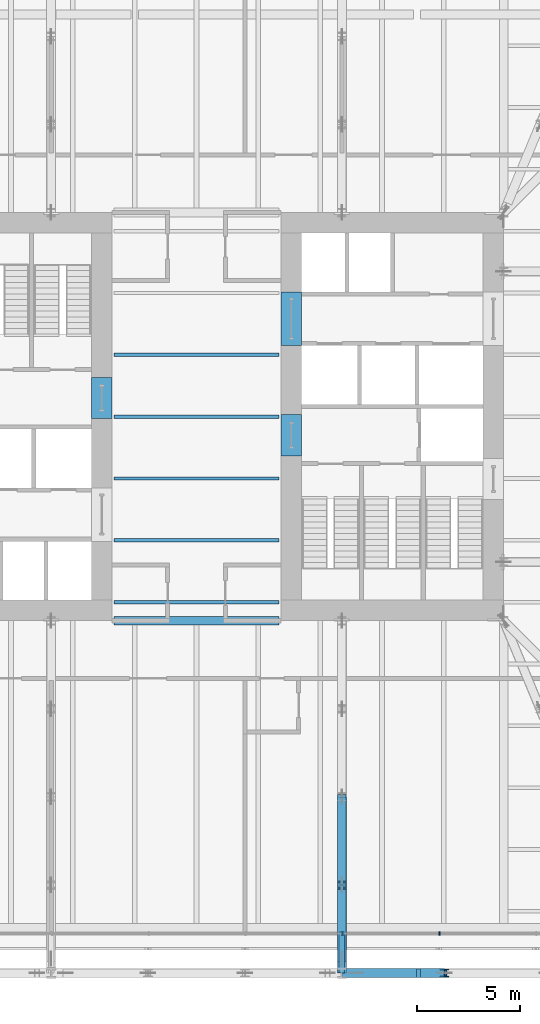
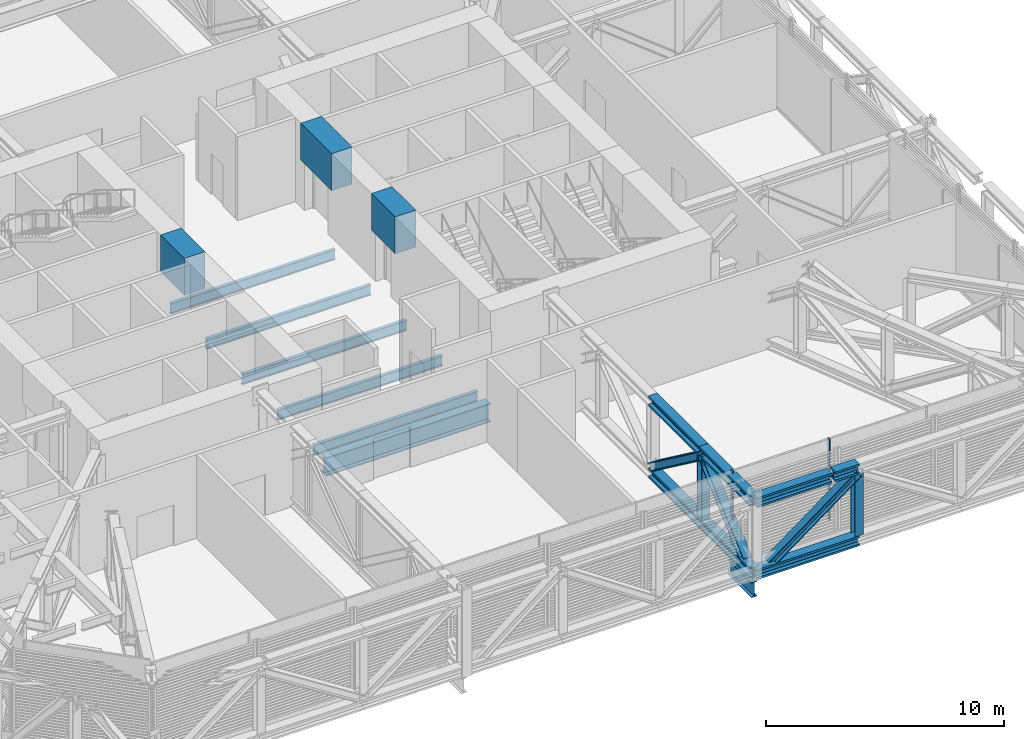
# One storey, part 9 of 33: 17 beams, 7 members, 1 element without a shape of its own.
"""IFC4 building model written with IfcOpenShell, lengths in metres."""

from ifc_helpers import new_model, si_unit, direction, frame, origin, origin_2d, place, context, subcontext, project, spatial, rectangle, i_section, extrude, material, layer, layer_set, material_profile, profile_set, type_object, element, aggregate, save


model = new_model("IFC4")

# Units and contexts
model_context = context("Model", 3, precision=1e-05, world=origin(), true_north=direction((0.0, 1.0)))
body_context = subcontext(model_context, "Body", "Model", "MODEL_VIEW")
ifc_project = project(units=[si_unit("LENGTHUNIT", "METRE"), si_unit("AREAUNIT", "SQUARE_METRE"), si_unit("VOLUMEUNIT", "CUBIC_METRE"), si_unit("PLANEANGLEUNIT", "RADIAN"), si_unit("MASSUNIT", "GRAM", prefix="KILO")], contexts=[model_context])

# Site, building, storey
site_placement = place(None, origin())
site = spatial("IfcSite", under=ifc_project, at=site_placement, CompositionType="ELEMENT")
building_placement = place(site_placement, origin())
building = spatial("IfcBuilding", under=site, at=building_placement, Name="Millrace Tower", CompositionType="ELEMENT")
storey_placement = place(building_placement, frame((0.0, 0.0, 64.10009765625)))
storey = spatial("IfcBuildingStorey", under=building, at=storey_placement, Name="L14", CompositionType="ELEMENT", Elevation=64.10009765625)

# Beams
ifc_material_1 = material(Name="Steel ASTM A992 Grade 50", Category="steel")
ifc_material_profile_1 = material_profile(ifc_material_1, i_section(OverallWidth=0.436767578125, OverallDepth=0.51318359375, WebThickness=0.060546875, FlangeThickness=0.096923828125, FilletRadius=0.01513671875, at=origin_2d()))
ifc_profile_set_1 = profile_set([ifc_material_profile_1], Name="Steel ASTM A992 Grade 50")
beam_type_1 = type_object("IfcBeamType", Name="Belt truss chord W14x550", PredefinedType="BEAM", material=ifc_profile_set_1)
beam_1_placement = place(storey_placement, frame((7.050048828125, -27.0, 0.25634765625), z_axis=(1.0, 0.0, 0.0), x_axis=(0.0, 1.0, 0.0)))
element("IfcBeam", 1, at=beam_1_placement, inside=storey, type_object=beam_type_1, Name="BLT-L14-R04-B01", PredefinedType="BEAM", context=body_context, shape_type="SweptSolid", body=[
    extrude(i_section(OverallWidth=0.436767578125, OverallDepth=0.51318359375, WebThickness=0.060546875, FlangeThickness=0.096923828125, FilletRadius=0.01513671875, at=origin_2d()), origin(), (0.0, 0.0, 1.0), 4.97607421875),
])
beam_2_placement = place(storey_placement, frame((7.0673828125, -27.0, 3.943359375), z_axis=(1.0, 0.0, 0.0), x_axis=(0.0, 1.0, 0.0)))
element("IfcBeam", 2, at=beam_2_placement, inside=storey, type_object=beam_type_1, Name="BLT-L14-R04-T01-a", PredefinedType="BEAM", context=body_context, shape_type="SweptSolid", body=[
    extrude(i_section(OverallWidth=0.436767578125, OverallDepth=0.51318359375, WebThickness=0.060546875, FlangeThickness=0.096923828125, FilletRadius=0.01513671875, at=origin_2d()), origin(), (0.0, 0.0, 1.0), 3.614990234375),
])
beam_3_placement = place(storey_placement, frame((10.859619140625, -27.0, 3.943359375), z_axis=(1.0, 0.0, 0.0), x_axis=(0.0, 1.0, 0.0)))
element("IfcBeam", 3, at=beam_3_placement, inside=storey, type_object=beam_type_1, Name="BLT-L14-R04-T01-b", PredefinedType="BEAM", context=body_context, shape_type="SweptSolid", body=[
    extrude(i_section(OverallWidth=0.436767578125, OverallDepth=0.51318359375, WebThickness=0.060546875, FlangeThickness=0.096923828125, FilletRadius=0.01513671875, at=origin_2d()), origin(), (0.0, 0.0, 1.0), 1.16650390625),
])

# Members
ifc_material_2 = material(Name="Steel ASTM A992 Grade 50", Category="steel")
ifc_material_profile_2 = material_profile(ifc_material_2, i_section(OverallWidth=0.40380859375, OverallDepth=0.406494140625, WebThickness=0.027099609375, FlangeThickness=0.043701171875, FilletRadius=0.01513671875, at=origin_2d()))
ifc_profile_set_2 = profile_set([ifc_material_profile_2], Name="Steel ASTM A992 Grade 50")
member_type_1 = type_object("IfcMemberType", Name="Belt truss diagonal W14x233", PredefinedType="BRACE", material=ifc_profile_set_2)
member_1_placement = place(storey_placement, frame((7.75, -27.0, 0.512939453125), z_axis=(0.802988323282, 0.0, 0.59599475893), x_axis=(0.0, 1.0, 0.0)))
element("IfcMember", 4, at=member_1_placement, inside=storey, type_object=member_type_1, Name="BLT-L14-R04-D01", PredefinedType="BRACE", context=body_context, shape_type="SweptSolid", body=[
    extrude(i_section(OverallWidth=0.40380859375, OverallDepth=0.406494140625, WebThickness=0.027099609375, FlangeThickness=0.043701171875, FilletRadius=0.01513671875, at=origin_2d()), origin(), (0.0, 0.0, 1.0), 5.3251953125),
])
ifc_material_3 = material(Name="Steel ASTM A992 Grade 50", Category="steel")
ifc_material_profile_3 = material_profile(ifc_material_3, i_section(OverallWidth=0.398681640625, OverallDepth=0.393798828125, WebThickness=0.022705078125, FlangeThickness=0.03662109375, FilletRadius=0.01513671875, at=origin_2d()))
ifc_profile_set_3 = profile_set([ifc_material_profile_3], Name="Steel ASTM A992 Grade 50")
member_type_2 = type_object("IfcMemberType", Name="Belt truss post W14x193", PredefinedType="POST", material=ifc_profile_set_3)
member_2_placement = place(storey_placement, frame((12.026123046875, -27.0, 0.512939453125), z_axis=(0.0, 0.0, 1.0), x_axis=(1.0, 0.0, 0.0)))
element("IfcMember", 5, at=member_2_placement, inside=storey, type_object=member_type_2, Name="BLT-L14-R04-V01", PredefinedType="POST", context=body_context, shape_type="SweptSolid", body=[
    extrude(i_section(OverallWidth=0.398681640625, OverallDepth=0.393798828125, WebThickness=0.022705078125, FlangeThickness=0.03662109375, FilletRadius=0.01513671875, at=origin_2d()), origin(), (0.0, 0.0, 1.0), 3.173828125),
])

# Curtain wall, members
ifc_material_4 = material(Name="Aluminium and glass", Category="aluminium")
ifc_layer = layer(ifc_material_4, 0.14990234375)
ifc_layer_set = layer_set([ifc_layer], Name="Aluminium and glass")
curtain_wall_type = type_object("IfcCurtainWallType", Name="CW-5 truss and plant storey louvred infill", PredefinedType="NOTDEFINED", material=ifc_layer_set)
curtain_wall_placement = place(storey_placement, origin())
curtain_wall = element("IfcCurtainWall", 6, at=curtain_wall_placement, inside=storey, type_object=curtain_wall_type, Name="Curtain wall A-F02 L14", PredefinedType="NOTDEFINED")
ifc_material_5 = material(Name="Aluminium", Category="aluminium")
ifc_material_profile_4 = material_profile(ifc_material_5, rectangle(XDim=0.06494140625, YDim=0.14990234375, at=origin_2d()))
ifc_profile_set_4 = profile_set([ifc_material_profile_4], Name="Aluminium")
member_type_3 = type_object("IfcMemberType", Name="CW-5 truss and plant storey louvred infill mullion", PredefinedType="MULLION", material=ifc_profile_set_4)
member_3_placement = place(storey_placement, frame((7.08251953125, -25.074951171875, 0.139892578125), z_axis=(0.0, 0.0, 1.0), x_axis=(1.0, 0.0, 0.0)))
member_3 = element("IfcMember", 7, at=member_3_placement, type_object=member_type_3, Name="CW5 mullion A-F02.7", PredefinedType="MULLION", context=body_context, shape_type="SweptSolid", body=[
    extrude(rectangle(XDim=0.06494140625, YDim=0.14990234375, at=origin_2d()), origin(), (0.0, 0.0, 1.0), 4.159912109375),
])
member_4_placement = place(storey_placement, frame((11.782470703125, -25.074951171875, 0.139892578125), z_axis=(0.0, 0.0, 1.0), x_axis=(1.0, 0.0, 0.0)))
member_4 = element("IfcMember", 8, at=member_4_placement, type_object=member_type_3, Name="CW5 mullion A-F02.8", PredefinedType="MULLION", context=body_context, shape_type="SweptSolid", body=[
    extrude(rectangle(XDim=0.06494140625, YDim=0.14990234375, at=origin_2d()), origin(), (0.0, 0.0, 1.0), 4.159912109375),
])
aggregate(curtain_wall, [member_3, member_4])

# Beams
ifc_material_6 = material(Name="Concrete C80", Category="concrete")
ifc_material_profile_5 = material_profile(ifc_material_6, rectangle(XDim=1.0, YDim=1.89990234375, at=origin_2d()))
ifc_profile_set_5 = profile_set([ifc_material_profile_5], Name="Concrete C80")
beam_type_2 = type_object("IfcBeamType", Name="Coupling beam 1000 x 1900 Concrete C80, 1300 opening", PredefinedType="BEAM", material=ifc_profile_set_5)
for number, where, z_axis, x_axis, name in (
    (9, (-4.60009765625, -0.097412109375, 3.349853515625), (0.0, 1.0, 0.0), (-1.0, 0.0, 0.0), "Coupling beam W L14"),
    (10, (4.60009765625, 0.097412109375, 3.349853515625), (0.0, -1.0, 0.0), (1.0, 0.0, 0.0), "Coupling beam E L14"),
):
    element("IfcBeam", number, at=place(storey_placement, frame(where, z_axis=z_axis, x_axis=x_axis)), inside=storey, type_object=beam_type_2, Name=name, PredefinedType="BEAM", context=body_context, shape_type="SweptSolid", body=[
        extrude(rectangle(XDim=1.0, YDim=1.89990234375, at=origin_2d()), origin(), (0.0, 0.0, 1.0), 1.994873046875),
    ])
ifc_material_7 = material(Name="Concrete C80", Category="concrete")
ifc_material_profile_6 = material_profile(ifc_material_7, rectangle(XDim=1.0, YDim=1.89990234375, at=origin_2d()))
ifc_profile_set_6 = profile_set([ifc_material_profile_6], Name="Concrete C80")
beam_type_3 = type_object("IfcBeamType", Name="Coupling beam 1000 x 1900 Concrete C80, 2000 opening", PredefinedType="BEAM", material=ifc_profile_set_6)
beam_4_placement = place(storey_placement, frame((4.60009765625, 6.050048828125, 3.349853515625), z_axis=(0.0, -1.0, 0.0), x_axis=(1.0, 0.0, 0.0)))
element("IfcBeam", 11, at=beam_4_placement, inside=storey, type_object=beam_type_3, Name="Coupling beam E L14", PredefinedType="BEAM", context=body_context, shape_type="SweptSolid", body=[
    extrude(rectangle(XDim=1.0, YDim=1.89990234375, at=origin_2d()), origin(), (0.0, 0.0, 1.0), 2.60009765625),
])
ifc_material_8 = material(Name="Steel ASTM A992 Grade 50", Category="steel")
ifc_material_profile_7 = material_profile(ifc_material_8, i_section(OverallWidth=0.1650390625, OverallDepth=0.52587890625, WebThickness=0.0087890625, FlangeThickness=0.011474609375, FilletRadius=0.0126953125, at=origin_2d()))
ifc_profile_set_7 = profile_set([ifc_material_profile_7], Name="Steel ASTM A992 Grade 50")
beam_type_4 = type_object("IfcBeamType", Name="Floor beam W21x44", PredefinedType="JOIST", material=ifc_profile_set_7)
for number, where, z_axis, x_axis, name in (
    (12, (-4.0, -9.0, -0.512939453125), (1.0, 0.0, 0.0), (0.0, 1.0, 0.0), "BM-A-L14-S1-S011"),
    (13, (-4.0, -6.0, -0.512939453125), (1.0, 0.0, 0.0), (0.0, 1.0, 0.0), "BM-A-L14-S1-S014"),
    (14, (-4.0, -3.0, -0.512939453125), (1.0, 0.0, 0.0), (0.0, 1.0, 0.0), "BM-A-L14-S1-S017"),
    (15, (-4.0, 0.0, -0.512939453125), (1.0, 0.0, 0.0), (0.0, 1.0, 0.0), "BM-A-L14-S1-S020"),
    (16, (-4.0, 3.0, -0.512939453125), (1.0, 0.0, 0.0), (0.0, 1.0, 0.0), "BM-A-L14-S1-S023"),
):
    element("IfcBeam", number, at=place(storey_placement, frame(where, z_axis=z_axis, x_axis=x_axis)), inside=storey, type_object=beam_type_4, Name=name, PredefinedType="JOIST", context=body_context, shape_type="SweptSolid", body=[
        extrude(i_section(OverallWidth=0.1650390625, OverallDepth=0.52587890625, WebThickness=0.0087890625, FlangeThickness=0.011474609375, FilletRadius=0.0126953125, at=origin_2d()), origin(), (0.0, 0.0, 1.0), 8.0),
    ])
ifc_material_9 = material(Name="Steel ASTM A992 Grade 50", Category="steel")
ifc_material_profile_8 = material_profile(ifc_material_9, i_section(OverallWidth=0.424072265625, OverallDepth=0.947509765625, WebThickness=0.02392578125, FlangeThickness=0.042724609375, FilletRadius=0.024169921875, at=origin_2d()))
ifc_profile_set_8 = profile_set([ifc_material_profile_8], Name="Steel ASTM A992 Grade 50")
beam_type_5 = type_object("IfcBeamType", Name="Girder short span W36x302", PredefinedType="BEAM", material=ifc_profile_set_8)
beam_5_placement = place(storey_placement, frame((-4.0, -9.89990234375, -0.723876953125), z_axis=(1.0, 0.0, 0.0), x_axis=(0.0, 1.0, 0.0)))
element("IfcBeam", 17, at=beam_5_placement, inside=storey, type_object=beam_type_5, Name="BM-A-L14-S1-G065", PredefinedType="BEAM", context=body_context, shape_type="SweptSolid", body=[
    extrude(i_section(OverallWidth=0.424072265625, OverallDepth=0.947509765625, WebThickness=0.02392578125, FlangeThickness=0.042724609375, FilletRadius=0.024169921875, at=origin_2d()), origin(), (0.0, 0.0, 1.0), 8.0),
])
ifc_material_10 = material(Name="Steel ASTM A992 Grade 50", Category="steel")
ifc_material_profile_9 = material_profile(ifc_material_10, i_section(OverallWidth=0.2666015625, OverallDepth=0.7568359375, WebThickness=0.013916015625, FlangeThickness=0.019287109375, FilletRadius=0.0166015625, at=origin_2d()))
ifc_profile_set_9 = profile_set([ifc_material_profile_9], Name="Steel ASTM A992 Grade 50")
beam_type_6 = type_object("IfcBeamType", Name="Link beam W30x108", PredefinedType="BEAM", material=ifc_profile_set_9)
beam_6_placement = place(storey_placement, frame((7.050048828125, -25.0, -0.628662109375), z_axis=(0.0, -1.0, 0.0), x_axis=(1.0, 0.0, 0.0)))
element("IfcBeam", 18, at=beam_6_placement, inside=storey, type_object=beam_type_6, Name="LNK-A-L14-S1-14", PredefinedType="BEAM", context=body_context, shape_type="SweptSolid", body=[
    extrude(i_section(OverallWidth=0.2666015625, OverallDepth=0.7568359375, WebThickness=0.013916015625, FlangeThickness=0.019287109375, FilletRadius=0.0166015625, at=origin_2d()), origin(), (0.0, 0.0, 1.0), 2.0),
])
ifc_material_11 = material(Name="Steel ASTM A992 Grade 50", Category="steel")
ifc_material_profile_10 = material_profile(ifc_material_11, i_section(OverallWidth=0.436767578125, OverallDepth=0.51318359375, WebThickness=0.060546875, FlangeThickness=0.096923828125, FilletRadius=0.01513671875, at=origin_2d()))
ifc_profile_set_10 = profile_set([ifc_material_profile_10], Name="Steel ASTM A992 Grade 50")
beam_type_7 = type_object("IfcBeamType", Name="Outrigger truss chord W14x550", PredefinedType="BEAM", material=ifc_profile_set_10)
for number, where, z_axis, x_axis, name in (
    (19, (7.050048828125, -18.449951171875, 0.25634765625), (0.0, -1.0, 0.0), (1.0, 0.0, 0.0), "BLT-L14-O04-B03"),
    (20, (7.050048828125, -18.449951171875, 3.943359375), (0.0, -1.0, 0.0), (1.0, 0.0, 0.0), "BLT-L14-O04-T03"),
):
    element("IfcBeam", number, at=place(storey_placement, frame(where, z_axis=z_axis, x_axis=x_axis)), inside=storey, type_object=beam_type_7, Name=name, PredefinedType="BEAM", context=body_context, shape_type="SweptSolid", body=[
        extrude(i_section(OverallWidth=0.436767578125, OverallDepth=0.51318359375, WebThickness=0.060546875, FlangeThickness=0.096923828125, FilletRadius=0.01513671875, at=origin_2d()), origin(), (0.0, 0.0, 1.0), 4.275146484375),
    ])
for number, where, z_axis, x_axis, name in (
    (21, (7.050048828125, -22.72509765625, 0.25634765625), (0.0, -1.0, 0.0), (1.0, 0.0, 0.0), "BLT-L14-O04-B04"),
    (22, (7.050048828125, -22.72509765625, 3.943359375), (0.0, -1.0, 0.0), (1.0, 0.0, 0.0), "BLT-L14-O04-T04"),
):
    element("IfcBeam", number, at=place(storey_placement, frame(where, z_axis=z_axis, x_axis=x_axis)), inside=storey, type_object=beam_type_7, Name=name, PredefinedType="BEAM", context=body_context, shape_type="SweptSolid", body=[
        extrude(i_section(OverallWidth=0.436767578125, OverallDepth=0.51318359375, WebThickness=0.060546875, FlangeThickness=0.096923828125, FilletRadius=0.01513671875, at=origin_2d()), origin(), (0.0, 0.0, 1.0), 4.27490234375),
    ])

# Members
ifc_material_12 = material(Name="Steel ASTM A992 Grade 50", Category="steel")
ifc_material_profile_11 = material_profile(ifc_material_12, i_section(OverallWidth=0.40380859375, OverallDepth=0.406494140625, WebThickness=0.027099609375, FlangeThickness=0.043701171875, FilletRadius=0.01513671875, at=origin_2d()))
ifc_profile_set_11 = profile_set([ifc_material_profile_11], Name="Steel ASTM A992 Grade 50")
member_type_4 = type_object("IfcMemberType", Name="Outrigger truss diagonal W14x233", PredefinedType="BRACE", material=ifc_profile_set_11)
member_5_placement = place(storey_placement, frame((7.050048828125, -18.449951171875, 0.512939453125), z_axis=(0.0, -0.802923169461, 0.596082531151), x_axis=(1.0, 0.0, 0.0)))
element("IfcMember", 23, at=member_5_placement, inside=storey, type_object=member_type_4, Name="BLT-L14-O04-D03", PredefinedType="BRACE", context=body_context, shape_type="SweptSolid", body=[
    extrude(i_section(OverallWidth=0.40380859375, OverallDepth=0.406494140625, WebThickness=0.027099609375, FlangeThickness=0.043701171875, FilletRadius=0.01513671875, at=origin_2d()), origin(), (0.0, 0.0, 1.0), 5.324462890625),
])
member_6_placement = place(storey_placement, frame((7.050048828125, -26.300048828125, 0.512939453125), z_axis=(0.0, 0.747814919968, 0.663907256681), x_axis=(-1.0, 0.0, 0.0)))
element("IfcMember", 24, at=member_6_placement, inside=storey, type_object=member_type_4, Name="BLT-L14-O04-D04", PredefinedType="BRACE", context=body_context, shape_type="SweptSolid", body=[
    extrude(i_section(OverallWidth=0.40380859375, OverallDepth=0.406494140625, WebThickness=0.027099609375, FlangeThickness=0.043701171875, FilletRadius=0.01513671875, at=origin_2d()), origin(), (0.0, 0.0, 1.0), 4.780517578125),
])
ifc_material_13 = material(Name="Steel ASTM A992 Grade 50", Category="steel")
ifc_material_profile_12 = material_profile(ifc_material_13, i_section(OverallWidth=0.398681640625, OverallDepth=0.393798828125, WebThickness=0.022705078125, FlangeThickness=0.03662109375, FilletRadius=0.01513671875, at=origin_2d()))
ifc_profile_set_12 = profile_set([ifc_material_profile_12], Name="Steel ASTM A992 Grade 50")
member_type_5 = type_object("IfcMemberType", Name="Outrigger truss post W14x193", PredefinedType="POST", material=ifc_profile_set_12)
member_7_placement = place(storey_placement, frame((7.050048828125, -22.72509765625, 0.512939453125), z_axis=(0.0, 0.0, 1.0), x_axis=(1.0, 0.0, 0.0)))
element("IfcMember", 25, at=member_7_placement, inside=storey, type_object=member_type_5, Name="BLT-L14-O04-V03", PredefinedType="POST", context=body_context, shape_type="SweptSolid", body=[
    extrude(i_section(OverallWidth=0.398681640625, OverallDepth=0.393798828125, WebThickness=0.022705078125, FlangeThickness=0.03662109375, FilletRadius=0.01513671875, at=origin_2d()), origin(), (0.0, 0.0, 1.0), 3.173828125),
])

save(model, "model.ifc")
